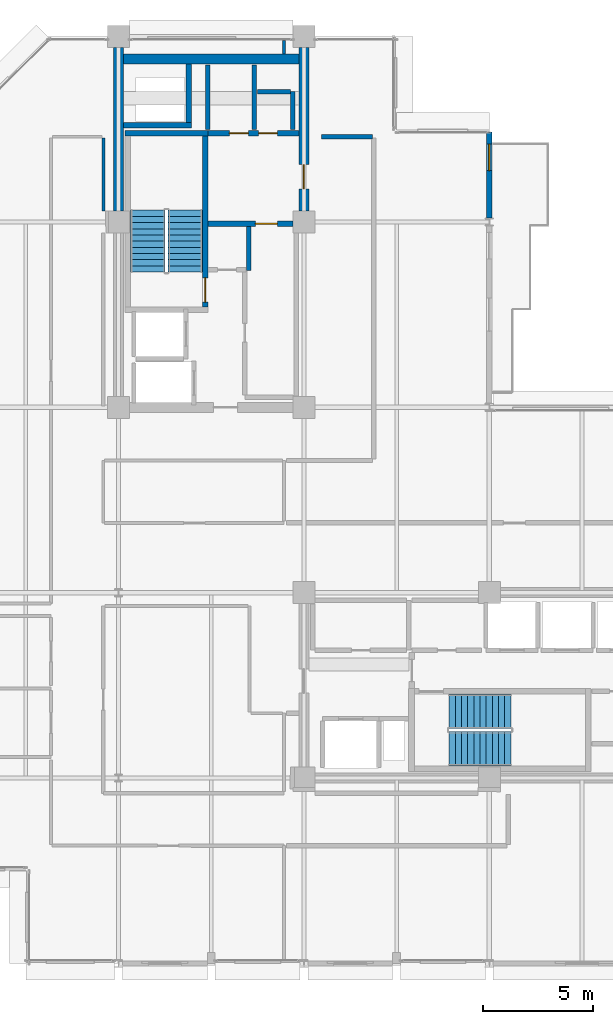
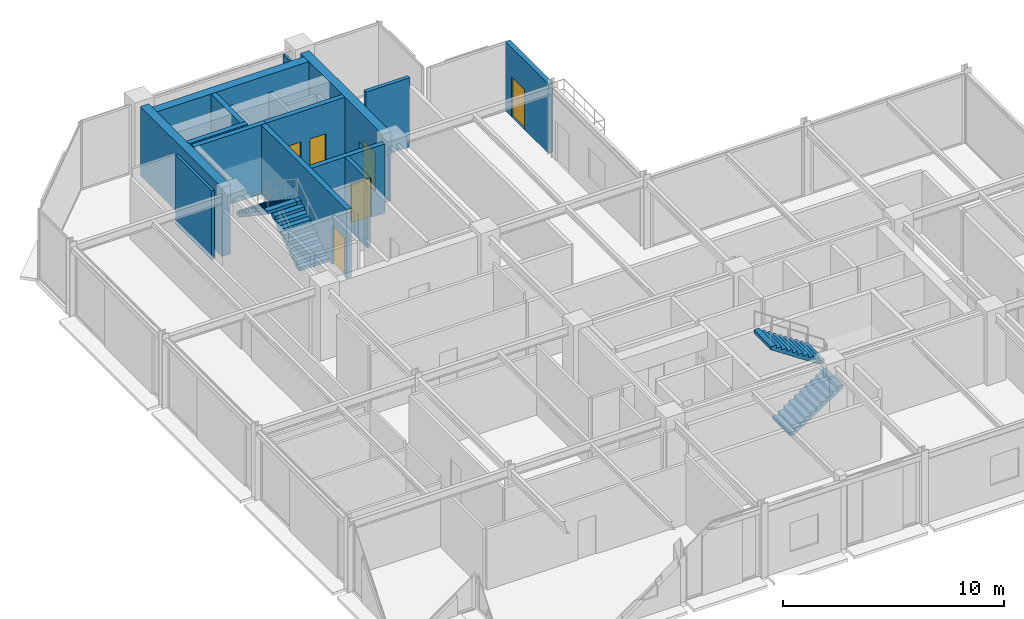
# One storey, part 22 of 26: 18 walls, 6 doors, 4 stair flights, 6 openings, 2 elements without a shape of their own.
"""IFC4 building model written with IfcOpenShell, lengths in metres."""

from ifc_helpers import new_model, si_unit, direction, frame, frame_2d, origin, place, context, subcontext, project, spatial, polyline, rectangle, outline, extrude, material, layer, layer_set, type_object, element, fill, aggregate, save


model = new_model("IFC4")

# Units and contexts
model_context = context("Model", 3, precision=1e-05, world=origin(), true_north=direction((0.0, 1.0)))
body_context = subcontext(model_context, "Body", "Model", "MODEL_VIEW")
ifc_project = project(units=[si_unit("LENGTHUNIT", "METRE"), si_unit("AREAUNIT", "SQUARE_METRE"), si_unit("VOLUMEUNIT", "CUBIC_METRE"), si_unit("PLANEANGLEUNIT", "RADIAN"), si_unit("MASSUNIT", "GRAM", prefix="KILO")], contexts=[model_context])

# Site, building, storey
site_placement = place(None, origin())
site = spatial("IfcSite", under=ifc_project, at=site_placement, CompositionType="ELEMENT")
building_placement = place(site_placement, origin())
building = spatial("IfcBuilding", under=site, at=building_placement, Name="Nerrivon Quay Data Exchange", CompositionType="ELEMENT")
storey_placement = place(building_placement, frame((0.0, 0.0, 228.800048828125)))
storey = spatial("IfcBuildingStorey", under=building, at=storey_placement, Name="L54", CompositionType="ELEMENT", Elevation=228.800048828125)

# Wall, opening, door
ifc_material_1 = material(Name="Architectural terracotta precast concrete N50 (50 MPa)", Category="masonry")
ifc_layer_1 = layer(ifc_material_1, 0.239990234375)
ifc_layer_set_1 = layer_set([ifc_layer_1], Name="Architectural terracotta precast concrete N50 (50 MPa)")
wall_type_1 = type_object("IfcWallType", Name="EW-PREC-240", PredefinedType="STANDARD", material=ifc_layer_set_1)
wall_1_placement = place(storey_placement, frame((25.199951171875, 37.679931640625, 0.0), z_axis=(0.0, 0.0, 1.0), x_axis=(0.0, -1.0, 0.0)))
wall_1 = element("IfcWall", 1, at=wall_1_placement, inside=storey, type_object=wall_type_1, Name="L54 Terrace Host Wall 22", PredefinedType="STANDARD", context=body_context, shape_type="SweptSolid", body=[
    extrude(rectangle(XDim=3.905029296875, YDim=0.239990234375, at=frame_2d((1.95263671875, 0.0))), origin(), (0.0, 0.0, 1.0), 3.824951171875),
])
opening_1_placement = place(wall_1_placement, frame((0.550048828125, 0.0, 0.0)))
opening_1 = element("IfcOpeningElement", 2, at=opening_1_placement, cuts=wall_1, Name="Opening TD1", PredefinedType="OPENING", context=body_context, shape_type="SweptSolid", body=[
    extrude(rectangle(XDim=1.199951171875, YDim=2.199951171875, at=frame_2d((0.60009765625, 1.10009765625))), frame((0.0, 0.1298828125, 0.0), z_axis=(0.0, -1.0, 0.0), x_axis=(1.0, 0.0, 0.0)), (0.0, 0.0, 1.0), 0.260009765625),
])
ifc_material_2 = material(Name="Double-glazed low-E solar control glass", Category="glass")
door_type_1 = type_object("IfcDoorType", Name="DR-TERR-1200x2200", OperationType="NOTDEFINED", PredefinedType="DOOR", material=ifc_material_2)
door_1_placement = place(opening_1_placement, origin())
door_1 = element("IfcDoor", 3, at=door_1_placement, inside=storey, type_object=door_type_1, Name="L54 Outdoor Terrace Access Door 22", OperationType="SINGLE_SWING_LEFT", OverallHeight=2.199951171875, OverallWidth=1.199951171875, PredefinedType="DOOR", context=body_context, shape_type="SweptSolid", body=[
    extrude(rectangle(XDim=1.199951171875, YDim=2.199951171875, at=frame_2d((0.60009765625, 1.10009765625))), frame((0.0, 0.02490234375, 0.0), z_axis=(0.0, -1.0, 0.0), x_axis=(1.0, 0.0, 0.0)), (0.0, 0.0, 1.0), 0.050048828125),
])
fill(opening_1, door_1)

# Walls
ifc_material_3 = material(Name="Concrete N50 (50 MPa)", Category="concrete")
ifc_layer_2 = layer(ifc_material_3, 0.449951171875)
ifc_layer_set_2 = layer_set([ifc_layer_2], Name="Concrete N50 (50 MPa)")
wall_type_2 = type_object("IfcWallType", Name="WALL-CW-550", PredefinedType="SHEAR", material=ifc_layer_set_2)
wall_2_placement = place(storey_placement, frame((8.39990234375, 34.10009765625, 0.0), z_axis=(0.0, 0.0, 1.0), x_axis=(0.0, 1.0, 0.0)))
element("IfcWall", 4, at=wall_2_placement, inside=storey, type_object=wall_type_2, Name="L54 West Split-Core Shear Wall WCW-W2", PredefinedType="SHEAR", context=body_context, shape_type="SweptSolid", body=[
    extrude(rectangle(XDim=7.39990234375, YDim=0.449951171875, at=frame_2d((3.699951171875, 0.0))), origin(), (0.0, 0.0, 1.0), 3.824951171875),
])
wall_3_placement = place(storey_placement, frame((8.625, 40.97509765625, 0.0), z_axis=(0.0, 0.0, 1.0), x_axis=(1.0, 0.0, 0.0)))
element("IfcWall", 5, at=wall_3_placement, inside=storey, type_object=wall_type_2, Name="L54 West Split-Core Shear Wall WCW-N1", PredefinedType="SHEAR", context=body_context, shape_type="SweptSolid", body=[
    extrude(rectangle(XDim=7.949951171875, YDim=0.449951171875, at=frame_2d((3.97509765625, 0.0))), origin(), (0.0, 0.0, 1.0), 3.824951171875),
])

# Wall, opening, door
wall_4_placement = place(storey_placement, frame((16.800048828125, 34.10009765625, 0.0), z_axis=(0.0, 0.0, 1.0), x_axis=(0.0, 1.0, 0.0)))
wall_4 = element("IfcWall", 6, at=wall_4_placement, inside=storey, type_object=wall_type_2, Name="L54 West Split-Core Shear Wall WCW-E1", PredefinedType="SHEAR", context=body_context, shape_type="SweptSolid", body=[
    extrude(rectangle(XDim=7.39990234375, YDim=0.449951171875, at=frame_2d((3.699951171875, 0.0))), origin(), (0.0, 0.0, 1.0), 3.824951171875),
])
opening_2_placement = place(wall_4_placement, frame((1.0, 0.0, 0.0)))
opening_2 = element("IfcOpeningElement", 7, at=opening_2_placement, cuts=wall_4, Name="Opening FD-120", PredefinedType="OPENING", context=body_context, shape_type="SweptSolid", body=[
    extrude(rectangle(XDim=1.10009765625, YDim=2.14990234375, at=frame_2d((0.550048828125, 1.074951171875))), frame((0.0, 0.23486328125, 0.0), z_axis=(0.0, -1.0, 0.0), x_axis=(1.0, 0.0, 0.0)), (0.0, 0.0, 1.0), 0.469970703125),
])
ifc_material_4 = material(Name="Powder-coated galvanized steel sheet", Category="steel")
door_type_2 = type_object("IfcDoorType", Name="DR-FD120-1100", OperationType="NOTDEFINED", PredefinedType="DOOR", material=ifc_material_4)
door_2_placement = place(opening_2_placement, origin())
door_2 = element("IfcDoor", 8, at=door_2_placement, inside=storey, type_object=door_type_2, Name="L54 West Core Lobby Fire Door", OperationType="SINGLE_SWING_RIGHT", OverallHeight=2.14990234375, OverallWidth=1.10009765625, PredefinedType="DOOR", context=body_context, shape_type="SweptSolid", body=[
    extrude(rectangle(XDim=1.10009765625, YDim=2.14990234375, at=frame_2d((0.550048828125, 1.074951171875))), frame((0.0, 0.02490234375, 0.0), z_axis=(0.0, -1.0, 0.0), x_axis=(1.0, 0.0, 0.0)), (0.0, 0.0, 1.0), 0.050048828125),
])
fill(opening_2, door_2)

# Walls
ifc_material_5 = material(Name="Gypsum plasterboard on cold-formed framing", Category="gypsum")
ifc_layer_3 = layer(ifc_material_5, 0.199951171875)
ifc_layer_set_3 = layer_set([ifc_layer_3], Name="Gypsum plasterboard on cold-formed framing")
wall_type_3 = type_object("IfcWallType", Name="WALL-FW-200", PredefinedType="PARTITIONING", material=ifc_layer_set_3)
wall_5_placement = place(storey_placement, frame((14.300048828125, 33.39111328125, 0.0), z_axis=(0.0, 0.0, 1.0), x_axis=(0.0, -1.0, 0.0)))
element("IfcWall", 9, at=wall_5_placement, inside=storey, type_object=wall_type_3, Name="L54 Partition Core Equipment Store", PredefinedType="PARTITIONING", context=body_context, shape_type="SweptSolid", body=[
    extrude(rectangle(XDim=1.9912109375, YDim=0.199951171875, at=frame_2d((0.99560546875, 0.0))), origin(), (0.0, 0.0, 1.0), 3.824951171875),
])
for number, where, z_axis, x_axis, name in (
    (10, (14.550048828125, 37.780029296875, 0.0), (0.0, 0.0, 1.0), (0.0, 1.0, 0.0), "L54 Partition Electrical Switchboard Closet"),
    (11, (12.449951171875, 40.699951171875, 0.0), (0.0, 0.0, 1.0), (0.0, -1.0, 0.0), "L54 Partition Electrical Switchboard Closet"),
):
    element("IfcWall", number, at=place(storey_placement, frame(where, z_axis=z_axis, x_axis=x_axis)), inside=storey, type_object=wall_type_3, Name=name, PredefinedType="PARTITIONING", context=body_context, shape_type="SweptSolid", body=[
        extrude(rectangle(XDim=2.919921875, YDim=0.199951171875, at=frame_2d((1.4599609375, 0.0))), origin(), (0.0, 0.0, 1.0), 2.875),
    ])
wall_6_placement = place(storey_placement, frame((16.300048828125, 37.780029296875, 0.0), z_axis=(0.0, 0.0, 1.0), x_axis=(0.0, 1.0, 0.0)))
element("IfcWall", 12, at=wall_6_placement, inside=storey, type_object=wall_type_3, Name="L54 Partition Janitor Closet", PredefinedType="PARTITIONING", context=body_context, shape_type="SweptSolid", body=[
    extrude(rectangle(XDim=1.719970703125, YDim=0.199951171875, at=frame_2d((0.85986328125, 0.0))), origin(), (0.0, 0.0, 1.0), 2.875),
])
wall_7_placement = place(storey_placement, frame((16.196044921875, 39.5, 0.0), z_axis=(0.0, 0.0, 1.0), x_axis=(-1.0, 0.0, 0.0)))
element("IfcWall", 13, at=wall_7_placement, inside=storey, type_object=wall_type_3, Name="L54 Partition Janitor Closet", PredefinedType="PARTITIONING", context=body_context, shape_type="SweptSolid", body=[
    extrude(rectangle(XDim=1.506103515625, YDim=0.199951171875, at=frame_2d((0.7529296875, 0.0))), origin(), (0.0, 0.0, 1.0), 2.875),
])
wall_8_placement = place(storey_placement, frame((17.60009765625, 37.4599609375, 0.0), z_axis=(0.0, 0.0, 1.0), x_axis=(1.0, 0.0, 0.0)))
element("IfcWall", 14, at=wall_8_placement, inside=storey, type_object=wall_type_3, Name="L54 Partition Colocation Data Workspace 6", PredefinedType="PARTITIONING", context=body_context, shape_type="SweptSolid", body=[
    extrude(rectangle(XDim=2.2998046875, YDim=0.199951171875, at=frame_2d((1.14990234375, 0.0))), origin(), (0.0, 0.0, 1.0), 3.824951171875),
])
ifc_layer_4 = layer(ifc_material_5, 0.1201171875)
ifc_layer_set_4 = layer_set([ifc_layer_4], Name="Gypsum plasterboard on cold-formed framing")
wall_type_4 = type_object("IfcWallType", Name="WALL-PT-120", PredefinedType="PARTITIONING", material=ifc_layer_set_4)
wall_9_placement = place(storey_placement, frame((15.89453125, 41.2041015625, 0.0), z_axis=(0.0, 0.0, 1.0), x_axis=(0.0, 1.0, 0.0)))
element("IfcWall", 15, at=wall_9_placement, inside=storey, type_object=wall_type_4, Name="L54 Partition Technical Library", PredefinedType="PARTITIONING", context=body_context, shape_type="SweptSolid", body=[
    extrude(rectangle(XDim=0.626953125, YDim=0.1201171875, at=frame_2d((0.3134765625, 0.0))), origin(), (0.0, 0.0, 1.0), 3.824951171875),
])
ifc_layer_5 = layer(ifc_material_5, 0.135009765625)
ifc_layer_set_5 = layer_set([ifc_layer_5], Name="Gypsum plasterboard on cold-formed framing")
wall_type_5 = type_object("IfcWallType", Name="WALL-PT-135", PredefinedType="PARTITIONING", material=ifc_layer_set_5)
wall_10_placement = place(storey_placement, frame((7.7099609375, 37.39990234375, 0.0), z_axis=(0.0, 0.0, 1.0), x_axis=(0.0, -1.0, 0.0)))
element("IfcWall", 16, at=wall_10_placement, inside=storey, type_object=wall_type_5, Name="L54 Partition Technical Library", PredefinedType="PARTITIONING", context=body_context, shape_type="SweptSolid", body=[
    extrude(rectangle(XDim=3.300048828125, YDim=0.135009765625, at=frame_2d((1.64990234375, 0.0))), origin(), (0.0, 0.0, 1.0), 3.824951171875),
])
ifc_layer_6 = layer(ifc_material_3, 0.25)
ifc_layer_set_6 = layer_set([ifc_layer_6], Name="Concrete N50 (50 MPa)")
wall_type_6 = type_object("IfcWallType", Name="WALL-SW-250", PredefinedType="SHEAR", material=ifc_layer_set_6)
wall_11_placement = place(storey_placement, frame((12.449951171875, 37.625, 0.0), z_axis=(0.0, 0.0, 1.0), x_axis=(-1.0, 0.0, 0.0)))
element("IfcWall", 17, at=wall_11_placement, inside=storey, type_object=wall_type_6, Name="L54 ST01 Structural Stair Core Wall FAR", PredefinedType="SHEAR", context=body_context, shape_type="SweptSolid", body=[
    extrude(rectangle(XDim=3.75, YDim=0.25, at=frame_2d((1.875, 0.0))), origin(), (0.0, 0.0, 1.0), 3.824951171875),
])

# Wall, opening, door
wall_12_placement = place(storey_placement, frame((12.324951171875, 29.75, 0.0), z_axis=(0.0, 0.0, 1.0), x_axis=(0.0, 1.0, 0.0)))
wall_12 = element("IfcWall", 18, at=wall_12_placement, inside=storey, type_object=wall_type_6, Name="L54 ST01 Structural Stair Core Wall LEFT", PredefinedType="SHEAR", context=body_context, shape_type="SweptSolid", body=[
    extrude(rectangle(XDim=7.75, YDim=0.25, at=frame_2d((3.875, 0.0))), origin(), (0.0, 0.0, 1.0), 3.824951171875),
])
opening_3_placement = place(wall_12_placement, frame((0.219970703125, 0.0, 0.0)))
opening_3 = element("IfcOpeningElement", 19, at=opening_3_placement, cuts=wall_12, Name="Opening FD-120", PredefinedType="OPENING", context=body_context, shape_type="SweptSolid", body=[
    extrude(rectangle(XDim=1.10009765625, YDim=2.14990234375, at=frame_2d((0.550048828125, 1.074951171875))), frame((0.0, 0.135009765625, 0.0), z_axis=(0.0, -1.0, 0.0), x_axis=(1.0, 0.0, 0.0)), (0.0, 0.0, 1.0), 0.27001953125),
])
door_3_placement = place(opening_3_placement, origin())
door_3 = element("IfcDoor", 20, at=door_3_placement, inside=storey, type_object=door_type_2, Name="L54 Protected Stair Door ST01", OperationType="SINGLE_SWING_RIGHT", OverallHeight=2.14990234375, OverallWidth=1.10009765625, PredefinedType="DOOR", context=body_context, shape_type="SweptSolid", body=[
    extrude(rectangle(XDim=1.10009765625, YDim=2.14990234375, at=frame_2d((0.550048828125, 1.074951171875))), frame((0.0, 0.02490234375, 0.0), z_axis=(0.0, -1.0, 0.0), x_axis=(1.0, 0.0, 0.0)), (0.0, 0.0, 1.0), 0.050048828125),
])
fill(opening_3, door_3)

# Walls
wall_13_placement = place(storey_placement, frame((8.625, 37.97509765625, 0.0), z_axis=(0.0, 0.0, 1.0), x_axis=(1.0, 0.0, 0.0)))
element("IfcWall", 21, at=wall_13_placement, inside=storey, type_object=wall_type_6, Name="L54 West Core MEP Riser Shaft Wall S", PredefinedType="SHEAR", context=body_context, shape_type="SweptSolid", body=[
    extrude(rectangle(XDim=3.074951171875, YDim=0.25, at=frame_2d((1.53759765625, 0.0))), origin(), (0.0, 0.0, 1.0), 3.824951171875),
])
wall_14_placement = place(storey_placement, frame((11.574951171875, 38.10009765625, 0.0), z_axis=(0.0, 0.0, 1.0), x_axis=(0.0, 1.0, 0.0)))
element("IfcWall", 22, at=wall_14_placement, inside=storey, type_object=wall_type_6, Name="L54 West Core MEP Riser Shaft Wall E", PredefinedType="SHEAR", context=body_context, shape_type="SweptSolid", body=[
    extrude(rectangle(XDim=2.64990234375, YDim=0.25, at=frame_2d((1.324951171875, 0.0))), origin(), (0.0, 0.0, 1.0), 3.824951171875),
])

# Wall, opening, door
wall_15_placement = place(storey_placement, frame((12.449951171875, 33.52001953125, 0.0), z_axis=(0.0, 0.0, 1.0), x_axis=(1.0, 0.0, 0.0)))
wall_15 = element("IfcWall", 23, at=wall_15_placement, inside=storey, type_object=wall_type_6, Name="L54 West Lobby Smoke-Stop Wall", PredefinedType="SHEAR", context=body_context, shape_type="SweptSolid", body=[
    extrude(rectangle(XDim=3.85009765625, YDim=0.25, at=frame_2d((1.925048828125, 0.0))), origin(), (0.0, 0.0, 1.0), 3.824951171875),
])
opening_4_placement = place(wall_15_placement, frame((2.14990234375, 0.0, 0.0)))
opening_4 = element("IfcOpeningElement", 24, at=opening_4_placement, cuts=wall_15, Name="Opening FD-60", PredefinedType="OPENING", context=body_context, shape_type="SweptSolid", body=[
    extrude(rectangle(XDim=1.0, YDim=2.14990234375, at=frame_2d((0.5, 1.074951171875))), frame((0.0, 0.135009765625, 0.0), z_axis=(0.0, -1.0, 0.0), x_axis=(1.0, 0.0, 0.0)), (0.0, 0.0, 1.0), 0.27001953125),
])
ifc_material_6 = material(Name="Engineered hardwood timber", Category="wood")
door_type_3 = type_object("IfcDoorType", Name="DR-FD60-1000", OperationType="NOTDEFINED", PredefinedType="DOOR", material=ifc_material_6)
door_4_placement = place(opening_4_placement, origin())
door_4 = element("IfcDoor", 25, at=door_4_placement, inside=storey, type_object=door_type_3, Name="L54 West Firefighting Lobby Fire Door", OperationType="SINGLE_SWING_RIGHT", OverallHeight=2.14990234375, OverallWidth=1.0, PredefinedType="DOOR", context=body_context, shape_type="SweptSolid", body=[
    extrude(rectangle(XDim=1.0, YDim=2.14990234375, at=frame_2d((0.5, 1.074951171875))), frame((0.0, 0.02490234375, 0.0), z_axis=(0.0, -1.0, 0.0), x_axis=(1.0, 0.0, 0.0)), (0.0, 0.0, 1.0), 0.050048828125),
])
fill(opening_4, door_4)

# Wall, openings, doors
wall_16_placement = place(storey_placement, frame((12.449951171875, 37.625, 0.0), z_axis=(0.0, 0.0, 1.0), x_axis=(1.0, 0.0, 0.0)))
wall_16 = element("IfcWall", 26, at=wall_16_placement, inside=storey, type_object=wall_type_6, Name="L54 West Firefighting Lobby Wall", PredefinedType="SHEAR", context=body_context, shape_type="SweptSolid", body=[
    extrude(rectangle(XDim=4.125, YDim=0.25, at=frame_2d((2.0625, 0.0))), origin(), (0.0, 0.0, 1.0), 3.824951171875),
])
opening_5_placement = place(wall_16_placement, frame((0.9775390625, 0.0, 0.0)))
opening_5 = element("IfcOpeningElement", 27, at=opening_5_placement, cuts=wall_16, Name="Opening FD-60S", PredefinedType="OPENING", context=body_context, shape_type="SweptSolid", body=[
    extrude(rectangle(XDim=0.85009765625, YDim=2.14990234375, at=frame_2d((0.425048828125, 1.074951171875))), frame((0.0, 0.135009765625, 0.0), z_axis=(0.0, -1.0, 0.0), x_axis=(1.0, 0.0, 0.0)), (0.0, 0.0, 1.0), 0.27001953125),
])
opening_6_placement = place(wall_16_placement, frame((2.297607421875, 0.0, 0.0)))
opening_6 = element("IfcOpeningElement", 28, at=opening_6_placement, cuts=wall_16, Name="Opening FD-60S", PredefinedType="OPENING", context=body_context, shape_type="SweptSolid", body=[
    extrude(rectangle(XDim=0.85009765625, YDim=2.14990234375, at=frame_2d((0.425048828125, 1.074951171875))), frame((0.0, 0.135009765625, 0.0), z_axis=(0.0, -1.0, 0.0), x_axis=(1.0, 0.0, 0.0)), (0.0, 0.0, 1.0), 0.27001953125),
])
door_type_4 = type_object("IfcDoorType", Name="DR-FD60-850", OperationType="NOTDEFINED", PredefinedType="DOOR", material=ifc_material_6)
door_5_placement = place(opening_5_placement, origin())
door_5 = element("IfcDoor", 29, at=door_5_placement, inside=storey, type_object=door_type_4, Name="L54 Door Electrical Switchboard Closet", OperationType="SINGLE_SWING_RIGHT", OverallHeight=2.14990234375, OverallWidth=0.85009765625, PredefinedType="DOOR", context=body_context, shape_type="SweptSolid", body=[
    extrude(rectangle(XDim=0.85009765625, YDim=2.14990234375, at=frame_2d((0.425048828125, 1.074951171875))), frame((0.0, 0.02490234375, 0.0), z_axis=(0.0, -1.0, 0.0), x_axis=(1.0, 0.0, 0.0)), (0.0, 0.0, 1.0), 0.050048828125),
])
fill(opening_5, door_5)
door_6_placement = place(opening_6_placement, origin())
door_6 = element("IfcDoor", 30, at=door_6_placement, inside=storey, type_object=door_type_4, Name="L54 Door Janitor Closet", OperationType="SINGLE_SWING_LEFT", OverallHeight=2.14990234375, OverallWidth=0.85009765625, PredefinedType="DOOR", context=body_context, shape_type="SweptSolid", body=[
    extrude(rectangle(XDim=0.85009765625, YDim=2.14990234375, at=frame_2d((0.425048828125, 1.074951171875))), frame((0.0, 0.02490234375, 0.0), z_axis=(0.0, -1.0, 0.0), x_axis=(1.0, 0.0, 0.0)), (0.0, 0.0, 1.0), 0.050048828125),
])
fill(opening_6, door_6)

# Stair, stair flights
stair_type = type_object("IfcStairType", Name="STAIR-DOG-41", PredefinedType="HALF_TURN_STAIR", material=ifc_material_3)
stair_1_placement = place(storey_placement, origin())
stair_1 = element("IfcStair", 31, at=stair_1_placement, inside=storey, type_object=stair_type, Name="L54 West Core Fire Stair ST01", PredefinedType="HALF_TURN_STAIR")
stair_flight_type = type_object("IfcStairFlightType", Name="FLIGHT-DOG-41", PredefinedType="STRAIGHT", material=ifc_material_3)
stair_flight_1_placement = place(storey_placement, frame((11.425048828125, 31.330078125, 0.0), z_axis=(0.0, 0.0, 1.0), x_axis=(0.0, 1.0, 0.0)))
stair_flight_1 = element("IfcStairFlight", 32, at=stair_flight_1_placement, type_object=stair_flight_type, Name="ST01 flight 1", NumberOfRisers=11, NumberOfTreads=10, PredefinedType="STRAIGHT", RiserHeight=0.186363636, TreadLength=0.28, context=body_context, shape_type="SweptSolid", body=[
    extrude(outline(polyline([(0.0, 0.0), (0.0, 0.186279296875), (0.280029296875, 0.186279296875), (0.280029296875, 0.372802734375), (0.56005859375, 0.372802734375), (0.56005859375, 0.55908203125), (0.840087890625, 0.55908203125), (0.840087890625, 0.745361328125), (1.1201171875, 0.745361328125), (1.1201171875, 0.931884765625), (1.39990234375, 0.931884765625), (1.39990234375, 1.1181640625), (1.679931640625, 1.1181640625), (1.679931640625, 1.304443359375), (1.9599609375, 1.304443359375), (1.9599609375, 1.490966796875), (2.239990234375, 1.490966796875), (2.239990234375, 1.67724609375), (2.52001953125, 1.67724609375), (2.52001953125, 1.863525390625), (2.800048828125, 1.863525390625), (2.800048828125, 2.050048828125), (2.800048828125, 1.68359375), (0.2705078125, 0.0), (0.0, 0.0)])), frame((0.0, 0.77490234375, 0.0), z_axis=(0.0, -1.0, 0.0), x_axis=(1.0, 0.0, 0.0)), (0.0, 0.0, 1.0), 1.550048828125),
])
stair_flight_2_placement = place(storey_placement, frame((9.72509765625, 34.1298828125, 2.050048828125), z_axis=(0.0, 0.0, 1.0), x_axis=(0.0, -1.0, 0.0)))
stair_flight_2 = element("IfcStairFlight", 33, at=stair_flight_2_placement, type_object=stair_flight_type, Name="ST01 flight 2", NumberOfRisers=11, NumberOfTreads=10, PredefinedType="STRAIGHT", RiserHeight=0.186363636, TreadLength=0.28, context=body_context, shape_type="SweptSolid", body=[
    extrude(outline(polyline([(0.0, 0.0), (0.0, 0.186279296875), (0.280029296875, 0.186279296875), (0.280029296875, 0.372802734375), (0.56005859375, 0.372802734375), (0.56005859375, 0.55908203125), (0.840087890625, 0.55908203125), (0.840087890625, 0.745361328125), (1.1201171875, 0.745361328125), (1.1201171875, 0.931884765625), (1.39990234375, 0.931884765625), (1.39990234375, 1.1181640625), (1.679931640625, 1.1181640625), (1.679931640625, 1.304443359375), (1.9599609375, 1.304443359375), (1.9599609375, 1.490966796875), (2.239990234375, 1.490966796875), (2.239990234375, 1.67724609375), (2.52001953125, 1.67724609375), (2.52001953125, 1.863525390625), (2.800048828125, 1.863525390625), (2.800048828125, 2.050048828125), (2.800048828125, 1.68359375), (0.2705078125, 0.0), (0.0, 0.0)])), frame((0.0, 0.77490234375, 0.0), z_axis=(0.0, -1.0, 0.0), x_axis=(1.0, 0.0, 0.0)), (0.0, 0.0, 1.0), 1.550048828125),
])
aggregate(stair_1, [stair_flight_1, stair_flight_2])

stair_2_placement = place(storey_placement, origin())
stair_2 = element("IfcStair", 34, at=stair_2_placement, inside=storey, type_object=stair_type, Name="L54 East Core Fire Stair ST02", PredefinedType="HALF_TURN_STAIR")
stair_flight_3_placement = place(storey_placement, frame((23.3798828125, 9.72509765625, 0.0), z_axis=(0.0, 0.0, 1.0), x_axis=(1.0, 0.0, 0.0)))
stair_flight_3 = element("IfcStairFlight", 35, at=stair_flight_3_placement, type_object=stair_flight_type, Name="ST02 flight 1", NumberOfRisers=11, NumberOfTreads=10, PredefinedType="STRAIGHT", RiserHeight=0.186363636, TreadLength=0.28, context=body_context, shape_type="SweptSolid", body=[
    extrude(outline(polyline([(0.0, 0.0), (0.0, 0.186279296875), (0.280029296875, 0.186279296875), (0.280029296875, 0.372802734375), (0.56005859375, 0.372802734375), (0.56005859375, 0.55908203125), (0.840087890625, 0.55908203125), (0.840087890625, 0.745361328125), (1.1201171875, 0.745361328125), (1.1201171875, 0.931884765625), (1.39990234375, 0.931884765625), (1.39990234375, 1.1181640625), (1.679931640625, 1.1181640625), (1.679931640625, 1.304443359375), (1.9599609375, 1.304443359375), (1.9599609375, 1.490966796875), (2.239990234375, 1.490966796875), (2.239990234375, 1.67724609375), (2.52001953125, 1.67724609375), (2.52001953125, 1.863525390625), (2.800048828125, 1.863525390625), (2.800048828125, 2.050048828125), (2.800048828125, 1.68359375), (0.2705078125, 0.0), (0.0, 0.0)])), frame((0.0, 0.77490234375, 0.0), z_axis=(0.0, -1.0, 0.0), x_axis=(1.0, 0.0, 0.0)), (0.0, 0.0, 1.0), 1.550048828125),
])
stair_flight_4_placement = place(storey_placement, frame((26.179931640625, 11.425048828125, 2.050048828125), z_axis=(0.0, 0.0, 1.0), x_axis=(-1.0, 0.0, 0.0)))
stair_flight_4 = element("IfcStairFlight", 36, at=stair_flight_4_placement, type_object=stair_flight_type, Name="ST02 flight 2", NumberOfRisers=11, NumberOfTreads=10, PredefinedType="STRAIGHT", RiserHeight=0.186363636, TreadLength=0.28, context=body_context, shape_type="SweptSolid", body=[
    extrude(outline(polyline([(0.0, 0.0), (0.0, 0.186279296875), (0.280029296875, 0.186279296875), (0.280029296875, 0.372802734375), (0.56005859375, 0.372802734375), (0.56005859375, 0.55908203125), (0.840087890625, 0.55908203125), (0.840087890625, 0.745361328125), (1.1201171875, 0.745361328125), (1.1201171875, 0.931884765625), (1.39990234375, 0.931884765625), (1.39990234375, 1.1181640625), (1.679931640625, 1.1181640625), (1.679931640625, 1.304443359375), (1.9599609375, 1.304443359375), (1.9599609375, 1.490966796875), (2.239990234375, 1.490966796875), (2.239990234375, 1.67724609375), (2.52001953125, 1.67724609375), (2.52001953125, 1.863525390625), (2.800048828125, 1.863525390625), (2.800048828125, 2.050048828125), (2.800048828125, 1.68359375), (0.2705078125, 0.0), (0.0, 0.0)])), frame((0.0, 0.77490234375, 0.0), z_axis=(0.0, -1.0, 0.0), x_axis=(1.0, 0.0, 0.0)), (0.0, 0.0, 1.0), 1.550048828125),
])
aggregate(stair_2, [stair_flight_3, stair_flight_4])

save(model, "model.ifc")
